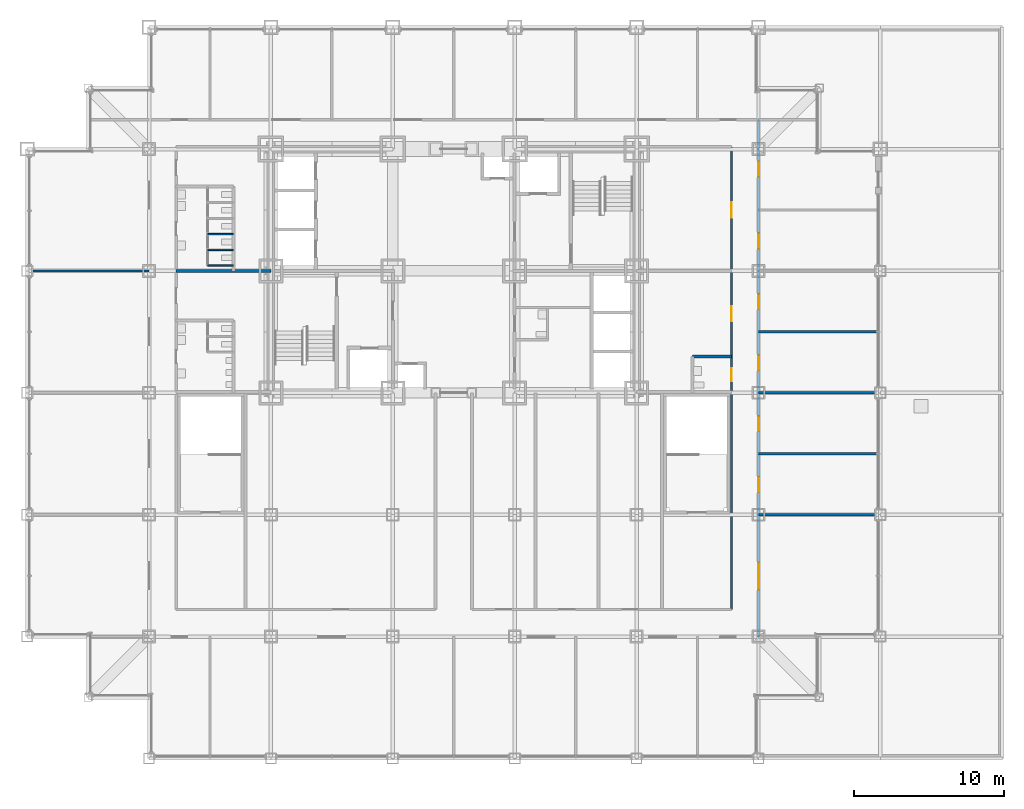
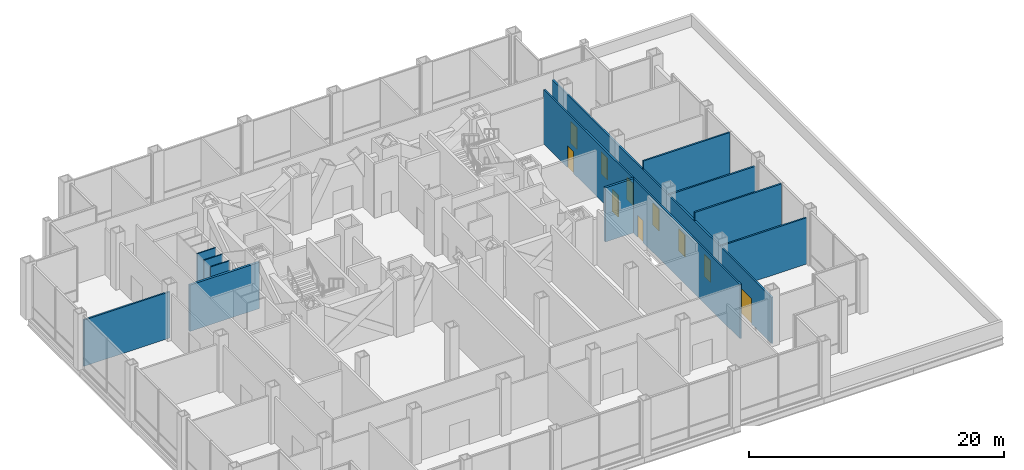
# One storey, part 14 of 18: 12 walls, 10 doors, 10 openings.
"""IFC4 building model written with IfcOpenShell, lengths in metres."""

from ifc_helpers import new_model, si_unit, direction, frame, frame_2d, origin, place, context, subcontext, project, spatial, rectangle, extrude, material, layer, layer_set, type_object, element, fill, save


model = new_model("IFC4")

# Units and contexts
model_context = context("Model", 3, precision=1e-05, world=origin(), true_north=direction((0.0, 1.0)))
body_context = subcontext(model_context, "Body", "Model", "MODEL_VIEW")
ifc_project = project(units=[si_unit("LENGTHUNIT", "METRE"), si_unit("AREAUNIT", "SQUARE_METRE"), si_unit("VOLUMEUNIT", "CUBIC_METRE"), si_unit("PLANEANGLEUNIT", "RADIAN"), si_unit("MASSUNIT", "GRAM", prefix="KILO")], contexts=[model_context])

# Site, building, storey
site_placement = place(None, origin())
site = spatial("IfcSite", under=ifc_project, at=site_placement, CompositionType="ELEMENT")
building_placement = place(site_placement, origin())
building = spatial("IfcBuilding", under=site, at=building_placement, Name="Kopane Lantern Tower", CompositionType="ELEMENT")
storey_placement = place(building_placement, frame((0.0, 0.0, 22.199951171875)))
storey = spatial("IfcBuildingStorey", under=building, at=storey_placement, Name="L04", CompositionType="ELEMENT", Elevation=22.199951171875)

# Walls
ifc_material_1 = material(Name="Moisture-resistant board on steel studs", Category="steel")
ifc_layer_1 = layer(ifc_material_1, 0.10009765625)
ifc_layer_set_1 = layer_set([ifc_layer_1], Name="BATHROOM WALL 100")
wall_type_1 = type_object("IfcWallType", Name="BATHROOM WALL 100", PredefinedType="PARTITIONING", material=ifc_layer_set_1)
for number, where, z_axis, x_axis, name in (
    (1, (12.0, 32.75, 0.0), (0.0, 0.0, 1.0), (1.0, 0.0, 0.0), "Bathroom Wall 100 L04"),
    (2, (12.0, 33.800048828125, 0.0), (0.0, 0.0, 1.0), (1.0, 0.0, 0.0), "Bathroom Wall 100 L04"),
    (3, (12.0, 34.85009765625, 0.0), (0.0, 0.0, 1.0), (1.0, 0.0, 0.0), "Bathroom Wall 100 L04"),
):
    element("IfcWall", number, at=place(storey_placement, frame(where, z_axis=z_axis, x_axis=x_axis)), inside=storey, type_object=wall_type_1, Name=name, PredefinedType="PARTITIONING", context=body_context, shape_type="SweptSolid", body=[
        extrude(rectangle(XDim=1.699951171875, YDim=0.10009765625, at=frame_2d((0.85009765625, 0.0))), origin(), (0.0, 0.0, 1.0), 5.18994140625),
    ])

# Wall, openings, doors
ifc_material_2 = material(Name="Gypsum board on steel studs", Category="steel")
ifc_layer_2 = layer(ifc_material_2, 0.14990234375)
ifc_layer_set_2 = layer_set([ifc_layer_2], Name="CORRIDOR WALL 150 EI 60")
wall_type_2 = type_object("IfcWallType", Name="CORRIDOR WALL 150 EI 60", PredefinedType="PARTITIONING", material=ifc_layer_set_2)
wall_1_placement = place(storey_placement, frame((48.60009765625, 8.06494140625, 0.0), z_axis=(0.0, 0.0, 1.0), x_axis=(0.0, 1.0, 0.0)))
wall_1 = element("IfcWall", 4, at=wall_1_placement, inside=storey, type_object=wall_type_2, Name="Corridor Wall 150 Ei 60 L04", PredefinedType="PARTITIONING", context=body_context, shape_type="SweptSolid", body=[
    extrude(rectangle(XDim=34.385009765625, YDim=0.14990234375, at=frame_2d((17.1923828125, 0.0))), origin(), (0.0, 0.0, 1.0), 4.427734375),
])
opening_1_placement = place(wall_1_placement, frame((3.14990234375, 0.0, 0.0)))
opening_1 = element("IfcOpeningElement", 5, at=opening_1_placement, cuts=wall_1, Name="Opening L04-023", PredefinedType="OPENING", context=body_context, shape_type="SweptSolid", body=[
    extrude(rectangle(XDim=1.800048828125, YDim=2.39990234375, at=frame_2d((0.89990234375, 1.199951171875))), frame((0.0, 0.0849609375, 0.0), z_axis=(0.0, -1.0, 0.0), x_axis=(1.0, 0.0, 0.0)), (0.0, 0.0, 1.0), 0.169921875),
])
opening_2_placement = place(wall_1_placement, frame((9.625, 0.0, 0.0)))
opening_2 = element("IfcOpeningElement", 6, at=opening_2_placement, cuts=wall_1, Name="Opening L04-024", PredefinedType="OPENING", context=body_context, shape_type="SweptSolid", body=[
    extrude(rectangle(XDim=1.0, YDim=2.10009765625, at=frame_2d((0.5, 1.050048828125))), frame((0.0, 0.0849609375, 0.0), z_axis=(0.0, -1.0, 0.0), x_axis=(1.0, 0.0, 0.0)), (0.0, 0.0, 1.0), 0.169921875),
])
opening_3_placement = place(wall_1_placement, frame((13.675048828125, 0.0, 0.0)))
opening_3 = element("IfcOpeningElement", 7, at=opening_3_placement, cuts=wall_1, Name="Opening L04-025", PredefinedType="OPENING", context=body_context, shape_type="SweptSolid", body=[
    extrude(rectangle(XDim=1.0, YDim=2.10009765625, at=frame_2d((0.5, 1.050048828125))), frame((0.0, 0.0849609375, 0.0), z_axis=(0.0, -1.0, 0.0), x_axis=(1.0, 0.0, 0.0)), (0.0, 0.0, 1.0), 0.169921875),
])
opening_4_placement = place(wall_1_placement, frame((17.72509765625, 0.0, 0.0)))
opening_4 = element("IfcOpeningElement", 8, at=opening_4_placement, cuts=wall_1, Name="Opening L04-026", PredefinedType="OPENING", context=body_context, shape_type="SweptSolid", body=[
    extrude(rectangle(XDim=1.0, YDim=2.10009765625, at=frame_2d((0.5, 1.050048828125))), frame((0.0, 0.0849609375, 0.0), z_axis=(0.0, -1.0, 0.0), x_axis=(1.0, 0.0, 0.0)), (0.0, 0.0, 1.0), 0.169921875),
])
opening_5_placement = place(wall_1_placement, frame((21.77490234375, 0.0, 0.0)))
opening_5 = element("IfcOpeningElement", 9, at=opening_5_placement, cuts=wall_1, Name="Opening L04-027", PredefinedType="OPENING", context=body_context, shape_type="SweptSolid", body=[
    extrude(rectangle(XDim=1.0, YDim=2.10009765625, at=frame_2d((0.5, 1.050048828125))), frame((0.0, 0.0849609375, 0.0), z_axis=(0.0, -1.0, 0.0), x_axis=(1.0, 0.0, 0.0)), (0.0, 0.0, 1.0), 0.169921875),
])
opening_6_placement = place(wall_1_placement, frame((25.824951171875, 0.0, 0.0)))
opening_6 = element("IfcOpeningElement", 10, at=opening_6_placement, cuts=wall_1, Name="Opening L04-028", PredefinedType="OPENING", context=body_context, shape_type="SweptSolid", body=[
    extrude(rectangle(XDim=1.0, YDim=2.10009765625, at=frame_2d((0.5, 1.050048828125))), frame((0.0, 0.0849609375, 0.0), z_axis=(0.0, -1.0, 0.0), x_axis=(1.0, 0.0, 0.0)), (0.0, 0.0, 1.0), 0.169921875),
])
opening_7_placement = place(wall_1_placement, frame((30.60009765625, 0.0, 0.0)))
opening_7 = element("IfcOpeningElement", 11, at=opening_7_placement, cuts=wall_1, Name="Opening L04-029", PredefinedType="OPENING", context=body_context, shape_type="SweptSolid", body=[
    extrude(rectangle(XDim=1.0, YDim=2.10009765625, at=frame_2d((0.5, 1.050048828125))), frame((0.0, 0.0849609375, 0.0), z_axis=(0.0, -1.0, 0.0), x_axis=(1.0, 0.0, 0.0)), (0.0, 0.0, 1.0), 0.169921875),
])
ifc_material_3 = material(Name="Steel door set", Category="steel")
door_type_1 = type_object("IfcDoorType", Name="DOOR D5 1000x2100 FD60", OperationType="SINGLE_SWING_LEFT", PredefinedType="DOOR", material=ifc_material_3)
door_1_placement = place(opening_2_placement, origin())
door_1 = element("IfcDoor", 12, at=door_1_placement, inside=storey, type_object=door_type_1, Name="Door L04-024", OperationType="SINGLE_SWING_RIGHT", OverallHeight=2.10009765625, OverallWidth=1.0, PredefinedType="DOOR", context=body_context, shape_type="SweptSolid", body=[
    extrude(rectangle(XDim=1.0, YDim=2.10009765625, at=frame_2d((0.5, 1.050048828125))), frame((0.0, 0.02490234375, 0.0), z_axis=(0.0, -1.0, 0.0), x_axis=(1.0, 0.0, 0.0)), (0.0, 0.0, 1.0), 0.050048828125),
])
fill(opening_2, door_1)
door_2_placement = place(opening_3_placement, origin())
door_2 = element("IfcDoor", 13, at=door_2_placement, inside=storey, type_object=door_type_1, Name="Door L04-025", OperationType="SINGLE_SWING_RIGHT", OverallHeight=2.10009765625, OverallWidth=1.0, PredefinedType="DOOR", context=body_context, shape_type="SweptSolid", body=[
    extrude(rectangle(XDim=1.0, YDim=2.10009765625, at=frame_2d((0.5, 1.050048828125))), frame((0.0, 0.02490234375, 0.0), z_axis=(0.0, -1.0, 0.0), x_axis=(1.0, 0.0, 0.0)), (0.0, 0.0, 1.0), 0.050048828125),
])
fill(opening_3, door_2)
door_3_placement = place(opening_4_placement, origin())
door_3 = element("IfcDoor", 14, at=door_3_placement, inside=storey, type_object=door_type_1, Name="Door L04-026", OperationType="SINGLE_SWING_RIGHT", OverallHeight=2.10009765625, OverallWidth=1.0, PredefinedType="DOOR", context=body_context, shape_type="SweptSolid", body=[
    extrude(rectangle(XDim=1.0, YDim=2.10009765625, at=frame_2d((0.5, 1.050048828125))), frame((0.0, 0.02490234375, 0.0), z_axis=(0.0, -1.0, 0.0), x_axis=(1.0, 0.0, 0.0)), (0.0, 0.0, 1.0), 0.050048828125),
])
fill(opening_4, door_3)
door_4_placement = place(opening_5_placement, origin())
door_4 = element("IfcDoor", 15, at=door_4_placement, inside=storey, type_object=door_type_1, Name="Door L04-027", OperationType="SINGLE_SWING_RIGHT", OverallHeight=2.10009765625, OverallWidth=1.0, PredefinedType="DOOR", context=body_context, shape_type="SweptSolid", body=[
    extrude(rectangle(XDim=1.0, YDim=2.10009765625, at=frame_2d((0.5, 1.050048828125))), frame((0.0, 0.02490234375, 0.0), z_axis=(0.0, -1.0, 0.0), x_axis=(1.0, 0.0, 0.0)), (0.0, 0.0, 1.0), 0.050048828125),
])
fill(opening_5, door_4)
door_5_placement = place(opening_6_placement, origin())
door_5 = element("IfcDoor", 16, at=door_5_placement, inside=storey, type_object=door_type_1, Name="Door L04-028", OperationType="SINGLE_SWING_RIGHT", OverallHeight=2.10009765625, OverallWidth=1.0, PredefinedType="DOOR", context=body_context, shape_type="SweptSolid", body=[
    extrude(rectangle(XDim=1.0, YDim=2.10009765625, at=frame_2d((0.5, 1.050048828125))), frame((0.0, 0.02490234375, 0.0), z_axis=(0.0, -1.0, 0.0), x_axis=(1.0, 0.0, 0.0)), (0.0, 0.0, 1.0), 0.050048828125),
])
fill(opening_6, door_5)
door_6_placement = place(opening_7_placement, origin())
door_6 = element("IfcDoor", 17, at=door_6_placement, inside=storey, type_object=door_type_1, Name="Door L04-029", OperationType="SINGLE_SWING_RIGHT", OverallHeight=2.10009765625, OverallWidth=1.0, PredefinedType="DOOR", context=body_context, shape_type="SweptSolid", body=[
    extrude(rectangle(XDim=1.0, YDim=2.10009765625, at=frame_2d((0.5, 1.050048828125))), frame((0.0, 0.02490234375, 0.0), z_axis=(0.0, -1.0, 0.0), x_axis=(1.0, 0.0, 0.0)), (0.0, 0.0, 1.0), 0.050048828125),
])
fill(opening_7, door_6)
ifc_material_4 = material(Name="Steel door set", Category="steel")
door_type_2 = type_object("IfcDoorType", Name="DOOR D6 1800x2400 FD30S", OperationType="SINGLE_SWING_LEFT", PredefinedType="DOOR", material=ifc_material_4)
door_7_placement = place(opening_1_placement, origin())
door_7 = element("IfcDoor", 18, at=door_7_placement, inside=storey, type_object=door_type_2, Name="Door L04-023", OperationType="DOUBLE_DOOR_SINGLE_SWING", OverallHeight=2.39990234375, OverallWidth=1.800048828125, PredefinedType="DOOR", context=body_context, shape_type="SweptSolid", body=[
    extrude(rectangle(XDim=1.800048828125, YDim=2.39990234375, at=frame_2d((0.89990234375, 1.199951171875))), frame((0.0, 0.02490234375, 0.0), z_axis=(0.0, -1.0, 0.0), x_axis=(1.0, 0.0, 0.0)), (0.0, 0.0, 1.0), 0.050048828125),
])
fill(opening_1, door_7)

wall_2_placement = place(storey_placement, frame((46.800048828125, 9.89990234375, 0.0), z_axis=(0.0, 0.0, 1.0), x_axis=(0.0, 1.0, 0.0)))
wall_2 = element("IfcWall", 19, at=wall_2_placement, inside=storey, type_object=wall_type_2, Name="Corridor Wall 150 Ei 60 L04", PredefinedType="PARTITIONING", context=body_context, shape_type="SweptSolid", body=[
    extrude(rectangle(XDim=30.75, YDim=0.14990234375, at=frame_2d((15.375, 0.0))), origin(), (0.0, 0.0, 1.0), 5.18994140625),
])
opening_8_placement = place(wall_2_placement, frame((15.175048828125, 0.0, 0.0)))
opening_8 = element("IfcOpeningElement", 20, at=opening_8_placement, cuts=wall_2, Name="Opening L04-005", PredefinedType="OPENING", context=body_context, shape_type="SweptSolid", body=[
    extrude(rectangle(XDim=0.85009765625, YDim=2.10009765625, at=frame_2d((0.425048828125, 1.050048828125))), frame((0.0, 0.0849609375, 0.0), z_axis=(0.0, -1.0, 0.0), x_axis=(1.0, 0.0, 0.0)), (0.0, 0.0, 1.0), 0.169921875),
])
opening_9_placement = place(wall_2_placement, frame((19.14990234375, 0.0, 0.0)))
opening_9 = element("IfcOpeningElement", 21, at=opening_9_placement, cuts=wall_2, Name="Opening L04-006", PredefinedType="OPENING", context=body_context, shape_type="SweptSolid", body=[
    extrude(rectangle(XDim=1.0, YDim=2.10009765625, at=frame_2d((0.5, 1.050048828125))), frame((0.0, 0.0849609375, 0.0), z_axis=(0.0, -1.0, 0.0), x_axis=(1.0, 0.0, 0.0)), (0.0, 0.0, 1.0), 0.169921875),
])
opening_10_placement = place(wall_2_placement, frame((26.050048828125, 0.0, 0.0)))
opening_10 = element("IfcOpeningElement", 22, at=opening_10_placement, cuts=wall_2, Name="Opening L04-007", PredefinedType="OPENING", context=body_context, shape_type="SweptSolid", body=[
    extrude(rectangle(XDim=1.0, YDim=2.10009765625, at=frame_2d((0.5, 1.050048828125))), frame((0.0, 0.0849609375, 0.0), z_axis=(0.0, -1.0, 0.0), x_axis=(1.0, 0.0, 0.0)), (0.0, 0.0, 1.0), 0.169921875),
])
ifc_material_5 = material(Name="Timber door set", Category="wood")
door_type_3 = type_object("IfcDoorType", Name="DOOR D4 850x2100", OperationType="SINGLE_SWING_LEFT", PredefinedType="DOOR", material=ifc_material_5)
door_8_placement = place(opening_8_placement, origin())
door_8 = element("IfcDoor", 23, at=door_8_placement, inside=storey, type_object=door_type_3, Name="Door L04-005", OperationType="SINGLE_SWING_LEFT", OverallHeight=2.10009765625, OverallWidth=0.85009765625, PredefinedType="DOOR", context=body_context, shape_type="SweptSolid", body=[
    extrude(rectangle(XDim=0.85009765625, YDim=2.10009765625, at=frame_2d((0.425048828125, 1.050048828125))), frame((0.0, 0.02490234375, 0.0), z_axis=(0.0, -1.0, 0.0), x_axis=(1.0, 0.0, 0.0)), (0.0, 0.0, 1.0), 0.050048828125),
])
fill(opening_8, door_8)
door_9_placement = place(opening_9_placement, origin())
door_9 = element("IfcDoor", 24, at=door_9_placement, inside=storey, type_object=door_type_1, Name="Door L04-006", OperationType="SINGLE_SWING_RIGHT", OverallHeight=2.10009765625, OverallWidth=1.0, PredefinedType="DOOR", context=body_context, shape_type="SweptSolid", body=[
    extrude(rectangle(XDim=1.0, YDim=2.10009765625, at=frame_2d((0.5, 1.050048828125))), frame((0.0, 0.02490234375, 0.0), z_axis=(0.0, -1.0, 0.0), x_axis=(1.0, 0.0, 0.0)), (0.0, 0.0, 1.0), 0.050048828125),
])
fill(opening_9, door_9)
door_10_placement = place(opening_10_placement, origin())
door_10 = element("IfcDoor", 25, at=door_10_placement, inside=storey, type_object=door_type_1, Name="Door L04-007", OperationType="SINGLE_SWING_LEFT", OverallHeight=2.10009765625, OverallWidth=1.0, PredefinedType="DOOR", context=body_context, shape_type="SweptSolid", body=[
    extrude(rectangle(XDim=1.0, YDim=2.10009765625, at=frame_2d((0.5, 1.050048828125))), frame((0.0, 0.02490234375, 0.0), z_axis=(0.0, -1.0, 0.0), x_axis=(1.0, 0.0, 0.0)), (0.0, 0.0, 1.0), 0.050048828125),
])
fill(opening_10, door_10)

# Walls
ifc_material_6 = material(Name="Gypsum board on steel studs", Category="steel")
ifc_layer_3 = layer(ifc_material_6, 0.14990234375)
ifc_layer_set_3 = layer_set([ifc_layer_3], Name="DEMISING WALL 150 EI 60")
wall_type_3 = type_object("IfcWallType", Name="DEMISING WALL 150 EI 60", PredefinedType="PARTITIONING", material=ifc_layer_set_3)
wall_3_placement = place(storey_placement, frame((8.10009765625, 32.39990234375, 0.0), z_axis=(0.0, 0.0, 1.0), x_axis=(-1.0, 0.0, 0.0)))
element("IfcWall", 26, at=wall_3_placement, inside=storey, type_object=wall_type_3, Name="Demising Wall 150 Ei 60 L04", PredefinedType="PARTITIONING", context=body_context, shape_type="SweptSolid", body=[
    extrude(rectangle(XDim=7.800048828125, YDim=0.14990234375, at=frame_2d((3.89990234375, 0.0))), origin(), (0.0, 0.0, 1.0), 4.427734375),
])
wall_4_placement = place(storey_placement, frame((48.60009765625, 16.199951171875, 0.0), z_axis=(0.0, 0.0, 1.0), x_axis=(1.0, 0.0, 0.0)))
element("IfcWall", 27, at=wall_4_placement, inside=storey, type_object=wall_type_3, Name="Demising Wall 150 Ei 60 L04", PredefinedType="PARTITIONING", context=body_context, shape_type="SweptSolid", body=[
    extrude(rectangle(XDim=7.7998046875, YDim=0.14990234375, at=frame_2d((3.89990234375, 0.0))), origin(), (0.0, 0.0, 1.0), 4.427734375),
])
wall_5_placement = place(storey_placement, frame((48.60009765625, 20.25, 0.0), z_axis=(0.0, 0.0, 1.0), x_axis=(1.0, 0.0, 0.0)))
element("IfcWall", 28, at=wall_5_placement, inside=storey, type_object=wall_type_3, Name="Demising Wall 150 Ei 60 L04", PredefinedType="PARTITIONING", context=body_context, shape_type="SweptSolid", body=[
    extrude(rectangle(XDim=7.83447265625, YDim=0.14990234375, at=frame_2d((3.917236328125, 0.0))), origin(), (0.0, 0.0, 1.0), 5.18994140625),
])
wall_6_placement = place(storey_placement, frame((48.60009765625, 24.300048828125, 0.0), z_axis=(0.0, 0.0, 1.0), x_axis=(1.0, 0.0, 0.0)))
element("IfcWall", 29, at=wall_6_placement, inside=storey, type_object=wall_type_3, Name="Demising Wall 150 Ei 60 L04", PredefinedType="PARTITIONING", context=body_context, shape_type="SweptSolid", body=[
    extrude(rectangle(XDim=7.7998046875, YDim=0.14990234375, at=frame_2d((3.89990234375, 0.0))), origin(), (0.0, 0.0, 1.0), 4.427734375),
])
wall_7_placement = place(storey_placement, frame((48.60009765625, 28.35009765625, 0.0), z_axis=(0.0, 0.0, 1.0), x_axis=(1.0, 0.0, 0.0)))
element("IfcWall", 30, at=wall_7_placement, inside=storey, type_object=wall_type_3, Name="Demising Wall 150 Ei 60 L04", PredefinedType="PARTITIONING", context=body_context, shape_type="SweptSolid", body=[
    extrude(rectangle(XDim=7.83447265625, YDim=0.14990234375, at=frame_2d((3.917236328125, 0.0))), origin(), (0.0, 0.0, 1.0), 5.18994140625),
])
ifc_material_7 = material(Name="Concrete masonry", Category="masonry")
ifc_layer_4 = layer(ifc_material_7, 0.199951171875)
ifc_layer_set_4 = layer_set([ifc_layer_4], Name="PLANT ROOM WALL 200 EI 120")
wall_type_4 = type_object("IfcWallType", Name="PLANT ROOM WALL 200 EI 120", PredefinedType="SOLIDWALL", material=ifc_layer_set_4)
wall_8_placement = place(storey_placement, frame((9.89990234375, 32.39990234375, 0.0), z_axis=(0.0, 0.0, 1.0), x_axis=(1.0, 0.0, 0.0)))
element("IfcWall", 31, at=wall_8_placement, inside=storey, type_object=wall_type_4, Name="Plant Room Wall 200 Ei 120 L04", PredefinedType="SOLIDWALL", context=body_context, shape_type="SweptSolid", body=[
    extrude(rectangle(XDim=6.300048828125, YDim=0.199951171875, at=frame_2d((3.14990234375, 0.0))), origin(), (0.0, 0.0, 1.0), 4.427734375),
])
wall_9_placement = place(storey_placement, frame((46.800048828125, 26.699951171875, 0.0), z_axis=(0.0, 0.0, 1.0), x_axis=(-1.0, 0.0, 0.0)))
element("IfcWall", 32, at=wall_9_placement, inside=storey, type_object=wall_type_4, Name="Plant Room Wall 200 Ei 120 L04", PredefinedType="SOLIDWALL", context=body_context, shape_type="SweptSolid", body=[
    extrude(rectangle(XDim=2.60009765625, YDim=0.199951171875, at=frame_2d((1.300048828125, 0.0))), origin(), (0.0, 0.0, 1.0), 5.18994140625),
])

save(model, "model.ifc")
